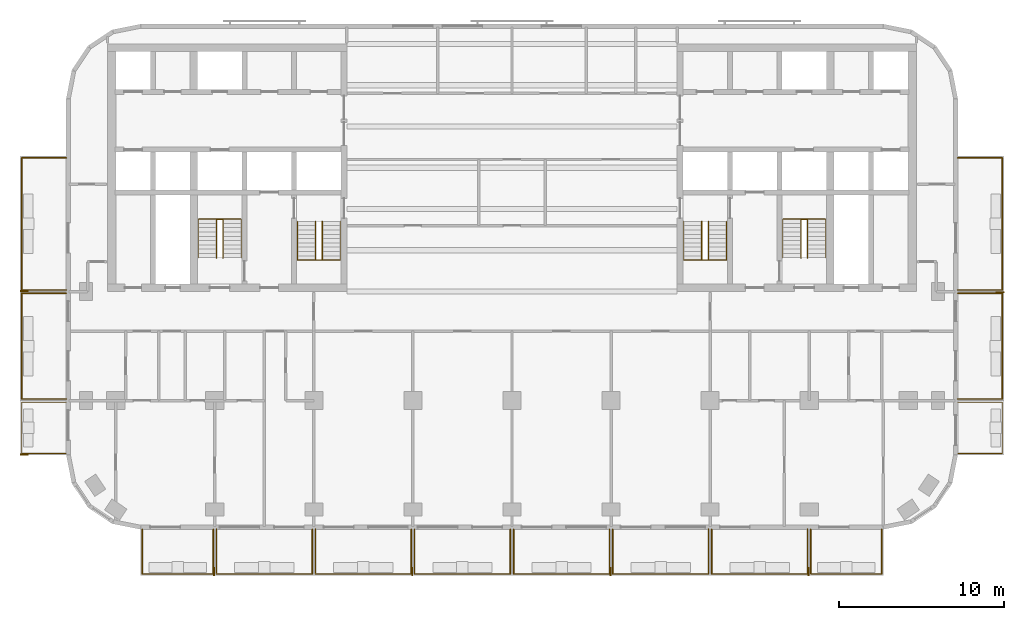
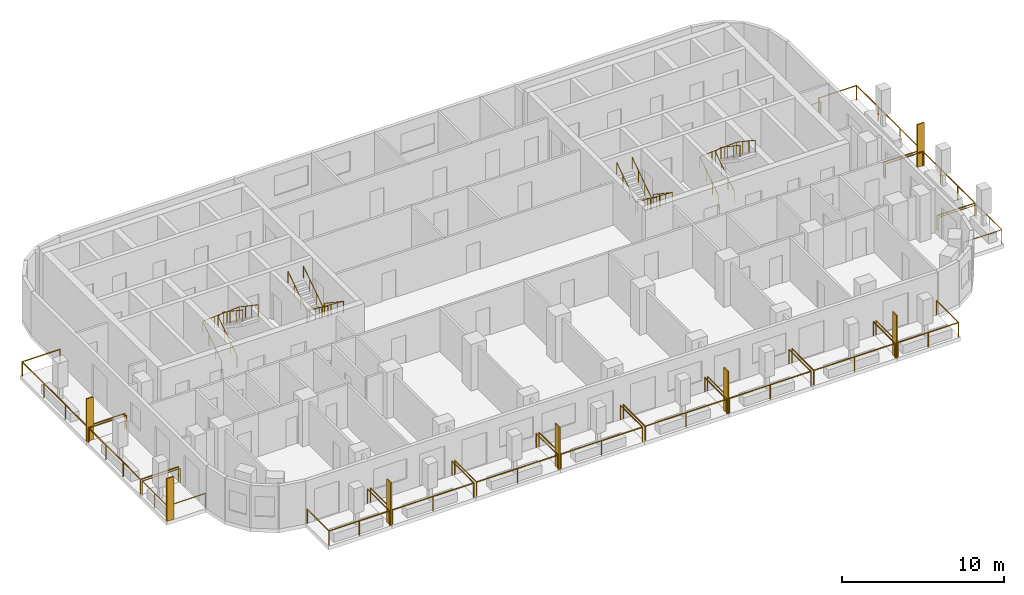
# One storey, part 9 of 11: 22 railings, 7 shading devices.
"""IFC4 building model written with IfcOpenShell, lengths in metres."""

from ifc_helpers import new_model, si_unit, direction, frame, origin, origin_2d, place, context, subcontext, project, spatial, rectangle, circle, extrude, material, layer, layer_set, type_object, element, save


model = new_model("IFC4")

# Units and contexts
model_context = context("Model", 3, precision=1e-05, world=origin(), true_north=direction((0.0, 1.0)))
body_context = subcontext(model_context, "Body", "Model", "MODEL_VIEW")
ifc_project = project(units=[si_unit("LENGTHUNIT", "METRE"), si_unit("AREAUNIT", "SQUARE_METRE"), si_unit("VOLUMEUNIT", "CUBIC_METRE"), si_unit("PLANEANGLEUNIT", "RADIAN"), si_unit("MASSUNIT", "GRAM", prefix="KILO")], contexts=[model_context])

# Site, building, storey
site_placement = place(None, origin())
site = spatial("IfcSite", under=ifc_project, at=site_placement, CompositionType="ELEMENT")
building_placement = place(site_placement, origin())
building = spatial("IfcBuilding", under=site, at=building_placement, Name="Torana Hotel and Residences", CompositionType="ELEMENT")
storey_placement = place(building_placement, frame((0.0, 0.0, 236.10009765625)))
storey = spatial("IfcBuildingStorey", under=building, at=storey_placement, Name="L62", CompositionType="ELEMENT", Elevation=236.10009765625)

# Shading devices
ifc_material_1 = material(Name="Black powder coated aluminium", Category="aluminium")
ifc_layer = layer(ifc_material_1, 0.080078125)
ifc_layer_set = layer_set([ifc_layer], Name="FN1 VERTICAL FIN 500x80")
shading_device_type = type_object("IfcShadingDeviceType", Name="FN1 VERTICAL FIN 500x80", PredefinedType="USERDEFINED", material=ifc_layer_set)
for number, where, z_axis, x_axis, name in (
    (1, (-18.0400390625, -31.949951171875, 0.0), (0.0, 0.0, 1.0), (-1.0, 0.0, 0.0), "Fin 01"),
    (2, (-6.0400390625, -31.949951171875, 0.0), (0.0, 0.0, 1.0), (-1.0, 0.0, 0.0), "Fin 03"),
    (3, (5.9599609375, -31.949951171875, 0.0), (0.0, 0.0, 1.0), (-1.0, 0.0, 0.0), "Fin 05"),
    (4, (17.9599609375, -31.949951171875, 0.0), (0.0, 0.0, 1.0), (-1.0, 0.0, 0.0), "Fin 07"),
    (5, (-29.550048828125, -24.860107421875, 0.0), (0.0, 0.0, 1.0), (0.0, 1.0, 0.0), "Fin 09"),
    (6, (-29.550048828125, -14.9599609375, 0.0), (0.0, 0.0, 1.0), (0.0, 1.0, 0.0), "Fin 11"),
    (7, (29.550048828125, -15.0400390625, 0.0), (0.0, 0.0, 1.0), (0.0, -1.0, 0.0), "Fin 13"),
):
    element("IfcShadingDevice", number, at=place(storey_placement, frame(where, z_axis=z_axis, x_axis=x_axis)), inside=storey, type_object=shading_device_type, Name=name, ObjectType="FIN", PredefinedType="USERDEFINED", context=body_context, shape_type="SweptSolid", body=[
        extrude(rectangle(XDim=0.080078125, YDim=0.5, at=origin_2d()), origin(), (0.0, 0.0, 1.0), 3.219970703125),
    ])

# Railings
ifc_material_2 = material(Name="Laminated glass balustrade with black handrail", Category="glass")
railing_type_1 = type_object("IfcRailingType", Name="GR1 BALCONY GUARD 1100 GLASS", PredefinedType="GUARDRAIL", material=ifc_material_2)
railing_1_placement = place(storey_placement, frame((-18.10009765625, -29.39990234375, 0.0)))
element("IfcRailing", 8, at=railing_1_placement, inside=storey, type_object=railing_type_1, Name="Balcony guard 01", PredefinedType="GUARDRAIL", context=body_context, shape_type="SweptSolid", body=[
    extrude(circle(Radius=0.02392578125, at=origin_2d()), frame((0.0, 0.0, 1.076171875), z_axis=(0.0, -1.0, 0.0), x_axis=(1.0, 0.0, 0.0)), (0.0, 0.0, 1.0), 2.7001953125),
    extrude(circle(Radius=0.02392578125, at=origin_2d()), frame((0.0, -2.7001953125, 1.076171875), z_axis=(-1.0, 0.0, 0.0), x_axis=(0.0, -1.0, 0.0)), (0.0, 0.0, 1.0), 4.2998046875),
    extrude(circle(Radius=0.02392578125, at=origin_2d()), frame((-4.2998046875, -2.7001953125, 1.076171875), z_axis=(0.0, 1.0, 0.0), x_axis=(-1.0, 0.0, 0.0)), (0.0, 0.0, 1.0), 2.7001953125),
    extrude(circle(Radius=0.02099609375, at=origin_2d()), origin(), (0.0, 0.0, 1.0), 1.052001953125),
    extrude(circle(Radius=0.02099609375, at=origin_2d()), frame((0.0, -2.7001953125, 0.0)), (0.0, 0.0, 1.0), 1.052001953125),
    extrude(circle(Radius=0.02099609375, at=origin_2d()), frame((-2.14990234375, -2.7001953125, 0.0)), (0.0, 0.0, 1.0), 1.052001953125),
    extrude(circle(Radius=0.02099609375, at=origin_2d()), frame((-4.2998046875, -2.7001953125, 0.0)), (0.0, 0.0, 1.0), 1.052001953125),
    extrude(circle(Radius=0.02099609375, at=origin_2d()), frame((-4.2998046875, 0.0, 0.0)), (0.0, 0.0, 1.0), 1.052001953125),
])
for number, where, name in (
    (9, (-12.10009765625, -29.39990234375, 0.0), "Balcony guard 02"),
    (10, (-6.10009765625, -29.39990234375, 0.0), "Balcony guard 03"),
    (11, (-0.10009765625, -29.39990234375, 0.0), "Balcony guard 04"),
    (12, (5.89990234375, -29.39990234375, 0.0), "Balcony guard 05"),
    (13, (11.89990234375, -29.39990234375, 0.0), "Balcony guard 06"),
    (14, (17.89990234375, -29.39990234375, 0.0), "Balcony guard 07"),
):
    element("IfcRailing", number, at=place(storey_placement, frame(where)), inside=storey, type_object=railing_type_1, Name=name, PredefinedType="GUARDRAIL", context=body_context, shape_type="SweptSolid", body=[
        extrude(circle(Radius=0.02392578125, at=origin_2d()), frame((0.0, 0.0, 1.076171875), z_axis=(0.0, -1.0, 0.0), x_axis=(1.0, 0.0, 0.0)), (0.0, 0.0, 1.0), 2.7001953125),
        extrude(circle(Radius=0.02392578125, at=origin_2d()), frame((0.0, -2.7001953125, 1.076171875), z_axis=(-1.0, 0.0, 0.0), x_axis=(0.0, -1.0, 0.0)), (0.0, 0.0, 1.0), 5.7998046875),
        extrude(circle(Radius=0.02392578125, at=origin_2d()), frame((-5.7998046875, -2.7001953125, 1.076171875), z_axis=(0.0, 1.0, 0.0), x_axis=(-1.0, 0.0, 0.0)), (0.0, 0.0, 1.0), 2.7001953125),
        extrude(circle(Radius=0.02099609375, at=origin_2d()), origin(), (0.0, 0.0, 1.0), 1.052001953125),
        extrude(circle(Radius=0.02099609375, at=origin_2d()), frame((0.0, -2.7001953125, 0.0)), (0.0, 0.0, 1.0), 1.052001953125),
        extrude(circle(Radius=0.02099609375, at=origin_2d()), frame((-2.89990234375, -2.7001953125, 0.0)), (0.0, 0.0, 1.0), 1.052001953125),
        extrude(circle(Radius=0.02099609375, at=origin_2d()), frame((-5.7998046875, -2.7001953125, 0.0)), (0.0, 0.0, 1.0), 1.052001953125),
        extrude(circle(Radius=0.02099609375, at=origin_2d()), frame((-5.7998046875, 0.0, 0.0)), (0.0, 0.0, 1.0), 1.052001953125),
    ])
railing_2_placement = place(storey_placement, frame((22.39990234375, -29.39990234375, 0.0)))
element("IfcRailing", 15, at=railing_2_placement, inside=storey, type_object=railing_type_1, Name="Balcony guard 08", PredefinedType="GUARDRAIL", context=body_context, shape_type="SweptSolid", body=[
    extrude(circle(Radius=0.02392578125, at=origin_2d()), frame((0.0, 0.0, 1.076171875), z_axis=(0.0, -1.0, 0.0), x_axis=(1.0, 0.0, 0.0)), (0.0, 0.0, 1.0), 2.7001953125),
    extrude(circle(Radius=0.02392578125, at=origin_2d()), frame((0.0, -2.7001953125, 1.076171875), z_axis=(-1.0, 0.0, 0.0), x_axis=(0.0, -1.0, 0.0)), (0.0, 0.0, 1.0), 4.2998046875),
    extrude(circle(Radius=0.02392578125, at=origin_2d()), frame((-4.2998046875, -2.7001953125, 1.076171875), z_axis=(0.0, 1.0, 0.0), x_axis=(-1.0, 0.0, 0.0)), (0.0, 0.0, 1.0), 2.7001953125),
    extrude(circle(Radius=0.02099609375, at=origin_2d()), origin(), (0.0, 0.0, 1.0), 1.052001953125),
    extrude(circle(Radius=0.02099609375, at=origin_2d()), frame((0.0, -2.7001953125, 0.0)), (0.0, 0.0, 1.0), 1.052001953125),
    extrude(circle(Radius=0.02099609375, at=origin_2d()), frame((-2.14990234375, -2.7001953125, 0.0)), (0.0, 0.0, 1.0), 1.052001953125),
    extrude(circle(Radius=0.02099609375, at=origin_2d()), frame((-4.2998046875, -2.7001953125, 0.0)), (0.0, 0.0, 1.0), 1.052001953125),
    extrude(circle(Radius=0.02099609375, at=origin_2d()), frame((-4.2998046875, 0.0, 0.0)), (0.0, 0.0, 1.0), 1.052001953125),
])
railing_3_placement = place(storey_placement, frame((-27.0, -24.800048828125, 0.0)))
element("IfcRailing", 16, at=railing_3_placement, inside=storey, type_object=railing_type_1, Name="Balcony guard 09", PredefinedType="GUARDRAIL", context=body_context, shape_type="SweptSolid", body=[
    extrude(circle(Radius=0.02392578125, at=origin_2d()), frame((0.0, 0.0, 1.076171875), z_axis=(-1.0, 0.0, 0.0), x_axis=(0.0, -1.0, 0.0)), (0.0, 0.0, 1.0), 2.699951171875),
    extrude(circle(Radius=0.02392578125, at=origin_2d()), frame((-2.699951171875, 0.0, 1.076171875), z_axis=(0.0, 1.0, 0.0), x_axis=(-1.0, 0.0, 0.0)), (0.0, 0.0, 1.0), 3.10009765625),
    extrude(circle(Radius=0.02392578125, at=origin_2d()), frame((-2.699951171875, 3.10009765625, 1.076171875), z_axis=(1.0, 0.0, 0.0), x_axis=(0.0, 1.0, 0.0)), (0.0, 0.0, 1.0), 2.699951171875),
    extrude(circle(Radius=0.02099609375, at=origin_2d()), origin(), (0.0, 0.0, 1.0), 1.052001953125),
    extrude(circle(Radius=0.02099609375, at=origin_2d()), frame((-2.699951171875, 0.0, 0.0)), (0.0, 0.0, 1.0), 1.052001953125),
    extrude(circle(Radius=0.02099609375, at=origin_2d()), frame((-2.699951171875, 1.550048828125, 0.0)), (0.0, 0.0, 1.0), 1.052001953125),
    extrude(circle(Radius=0.02099609375, at=origin_2d()), frame((-2.699951171875, 3.10009765625, 0.0)), (0.0, 0.0, 1.0), 1.052001953125),
    extrude(circle(Radius=0.02099609375, at=origin_2d()), frame((0.0, 3.10009765625, 0.0)), (0.0, 0.0, 1.0), 1.052001953125),
])
railing_4_placement = place(storey_placement, frame((-27.0, -21.5, 0.0)))
element("IfcRailing", 17, at=railing_4_placement, inside=storey, type_object=railing_type_1, Name="Balcony guard 10", PredefinedType="GUARDRAIL", context=body_context, shape_type="SweptSolid", body=[
    extrude(circle(Radius=0.02392578125, at=origin_2d()), frame((0.0, 0.0, 1.076171875), z_axis=(-1.0, 0.0, 0.0), x_axis=(0.0, -1.0, 0.0)), (0.0, 0.0, 1.0), 2.699951171875),
    extrude(circle(Radius=0.02392578125, at=origin_2d()), frame((-2.699951171875, 0.0, 1.076171875), z_axis=(0.0, 1.0, 0.0), x_axis=(-1.0, 0.0, 0.0)), (0.0, 0.0, 1.0), 6.39990234375),
    extrude(circle(Radius=0.02392578125, at=origin_2d()), frame((-2.699951171875, 6.39990234375, 1.076171875), z_axis=(1.0, 0.0, 0.0), x_axis=(0.0, 1.0, 0.0)), (0.0, 0.0, 1.0), 2.699951171875),
    extrude(circle(Radius=0.02099609375, at=origin_2d()), origin(), (0.0, 0.0, 1.0), 1.052001953125),
    extrude(circle(Radius=0.02099609375, at=origin_2d()), frame((-2.699951171875, 0.0, 0.0)), (0.0, 0.0, 1.0), 1.052001953125),
    extrude(circle(Radius=0.02099609375, at=origin_2d()), frame((-2.699951171875, 2.13330078125, 0.0)), (0.0, 0.0, 1.0), 1.052001953125),
    extrude(circle(Radius=0.02099609375, at=origin_2d()), frame((-2.699951171875, 4.2666015625, 0.0)), (0.0, 0.0, 1.0), 1.052001953125),
    extrude(circle(Radius=0.02099609375, at=origin_2d()), frame((-2.699951171875, 6.39990234375, 0.0)), (0.0, 0.0, 1.0), 1.052001953125),
    extrude(circle(Radius=0.02099609375, at=origin_2d()), frame((0.0, 6.39990234375, 0.0)), (0.0, 0.0, 1.0), 1.052001953125),
])
railing_5_placement = place(storey_placement, frame((-27.0, -14.89990234375, 0.0)))
element("IfcRailing", 18, at=railing_5_placement, inside=storey, type_object=railing_type_1, Name="Balcony guard 11", PredefinedType="GUARDRAIL", context=body_context, shape_type="SweptSolid", body=[
    extrude(circle(Radius=0.02392578125, at=origin_2d()), frame((0.0, 0.0, 1.076171875), z_axis=(-1.0, 0.0, 0.0), x_axis=(0.0, -1.0, 0.0)), (0.0, 0.0, 1.0), 2.699951171875),
    extrude(circle(Radius=0.02392578125, at=origin_2d()), frame((-2.699951171875, 0.0, 1.076171875), z_axis=(0.0, 1.0, 0.0), x_axis=(-1.0, 0.0, 0.0)), (0.0, 0.0, 1.0), 8.0),
    extrude(circle(Radius=0.02392578125, at=origin_2d()), frame((-2.699951171875, 8.0, 1.076171875), z_axis=(1.0, 0.0, 0.0), x_axis=(0.0, 1.0, 0.0)), (0.0, 0.0, 1.0), 2.699951171875),
    extrude(circle(Radius=0.02099609375, at=origin_2d()), origin(), (0.0, 0.0, 1.0), 1.052001953125),
    extrude(circle(Radius=0.02099609375, at=origin_2d()), frame((-2.699951171875, 0.0, 0.0)), (0.0, 0.0, 1.0), 1.052001953125),
    extrude(circle(Radius=0.02099609375, at=origin_2d()), frame((-2.699951171875, 2.666748046875, 0.0)), (0.0, 0.0, 1.0), 1.052001953125),
    extrude(circle(Radius=0.02099609375, at=origin_2d()), frame((-2.699951171875, 5.333251953125, 0.0)), (0.0, 0.0, 1.0), 1.052001953125),
    extrude(circle(Radius=0.02099609375, at=origin_2d()), frame((-2.699951171875, 8.0, 0.0)), (0.0, 0.0, 1.0), 1.052001953125),
    extrude(circle(Radius=0.02099609375, at=origin_2d()), frame((0.0, 8.0, 0.0)), (0.0, 0.0, 1.0), 1.052001953125),
])
railing_6_placement = place(storey_placement, frame((27.0, -21.699951171875, 0.0)))
element("IfcRailing", 19, at=railing_6_placement, inside=storey, type_object=railing_type_1, Name="Balcony guard 12", PredefinedType="GUARDRAIL", context=body_context, shape_type="SweptSolid", body=[
    extrude(circle(Radius=0.02392578125, at=origin_2d()), frame((0.0, 0.0, 1.076171875), z_axis=(1.0, 0.0, 0.0), x_axis=(0.0, 1.0, 0.0)), (0.0, 0.0, 1.0), 2.699951171875),
    extrude(circle(Radius=0.02392578125, at=origin_2d()), frame((2.699951171875, 0.0, 1.076171875), z_axis=(0.0, -1.0, 0.0), x_axis=(1.0, 0.0, 0.0)), (0.0, 0.0, 1.0), 3.10009765625),
    extrude(circle(Radius=0.02392578125, at=origin_2d()), frame((2.699951171875, -3.10009765625, 1.076171875), z_axis=(-1.0, 0.0, 0.0), x_axis=(0.0, -1.0, 0.0)), (0.0, 0.0, 1.0), 2.699951171875),
    extrude(circle(Radius=0.02099609375, at=origin_2d()), origin(), (0.0, 0.0, 1.0), 1.052001953125),
    extrude(circle(Radius=0.02099609375, at=origin_2d()), frame((2.699951171875, 0.0, 0.0)), (0.0, 0.0, 1.0), 1.052001953125),
    extrude(circle(Radius=0.02099609375, at=origin_2d()), frame((2.699951171875, -1.550048828125, 0.0)), (0.0, 0.0, 1.0), 1.052001953125),
    extrude(circle(Radius=0.02099609375, at=origin_2d()), frame((2.699951171875, -3.10009765625, 0.0)), (0.0, 0.0, 1.0), 1.052001953125),
    extrude(circle(Radius=0.02099609375, at=origin_2d()), frame((0.0, -3.10009765625, 0.0)), (0.0, 0.0, 1.0), 1.052001953125),
])
railing_7_placement = place(storey_placement, frame((27.0, -15.10009765625, 0.0)))
element("IfcRailing", 20, at=railing_7_placement, inside=storey, type_object=railing_type_1, Name="Balcony guard 13", PredefinedType="GUARDRAIL", context=body_context, shape_type="SweptSolid", body=[
    extrude(circle(Radius=0.02392578125, at=origin_2d()), frame((0.0, 0.0, 1.076171875), z_axis=(1.0, 0.0, 0.0), x_axis=(0.0, 1.0, 0.0)), (0.0, 0.0, 1.0), 2.699951171875),
    extrude(circle(Radius=0.02392578125, at=origin_2d()), frame((2.699951171875, 0.0, 1.076171875), z_axis=(0.0, -1.0, 0.0), x_axis=(1.0, 0.0, 0.0)), (0.0, 0.0, 1.0), 6.39990234375),
    extrude(circle(Radius=0.02392578125, at=origin_2d()), frame((2.699951171875, -6.39990234375, 1.076171875), z_axis=(-1.0, 0.0, 0.0), x_axis=(0.0, -1.0, 0.0)), (0.0, 0.0, 1.0), 2.699951171875),
    extrude(circle(Radius=0.02099609375, at=origin_2d()), origin(), (0.0, 0.0, 1.0), 1.052001953125),
    extrude(circle(Radius=0.02099609375, at=origin_2d()), frame((2.699951171875, 0.0, 0.0)), (0.0, 0.0, 1.0), 1.052001953125),
    extrude(circle(Radius=0.02099609375, at=origin_2d()), frame((2.699951171875, -2.13330078125, 0.0)), (0.0, 0.0, 1.0), 1.052001953125),
    extrude(circle(Radius=0.02099609375, at=origin_2d()), frame((2.699951171875, -4.2666015625, 0.0)), (0.0, 0.0, 1.0), 1.052001953125),
    extrude(circle(Radius=0.02099609375, at=origin_2d()), frame((2.699951171875, -6.39990234375, 0.0)), (0.0, 0.0, 1.0), 1.052001953125),
    extrude(circle(Radius=0.02099609375, at=origin_2d()), frame((0.0, -6.39990234375, 0.0)), (0.0, 0.0, 1.0), 1.052001953125),
])
railing_8_placement = place(storey_placement, frame((27.0, -6.89990234375, 0.0)))
element("IfcRailing", 21, at=railing_8_placement, inside=storey, type_object=railing_type_1, Name="Balcony guard 14", PredefinedType="GUARDRAIL", context=body_context, shape_type="SweptSolid", body=[
    extrude(circle(Radius=0.02392578125, at=origin_2d()), frame((0.0, 0.0, 1.076171875), z_axis=(1.0, 0.0, 0.0), x_axis=(0.0, 1.0, 0.0)), (0.0, 0.0, 1.0), 2.699951171875),
    extrude(circle(Radius=0.02392578125, at=origin_2d()), frame((2.699951171875, 0.0, 1.076171875), z_axis=(0.0, -1.0, 0.0), x_axis=(1.0, 0.0, 0.0)), (0.0, 0.0, 1.0), 8.0),
    extrude(circle(Radius=0.02392578125, at=origin_2d()), frame((2.699951171875, -8.0, 1.076171875), z_axis=(-1.0, 0.0, 0.0), x_axis=(0.0, -1.0, 0.0)), (0.0, 0.0, 1.0), 2.699951171875),
    extrude(circle(Radius=0.02099609375, at=origin_2d()), origin(), (0.0, 0.0, 1.0), 1.052001953125),
    extrude(circle(Radius=0.02099609375, at=origin_2d()), frame((2.699951171875, 0.0, 0.0)), (0.0, 0.0, 1.0), 1.052001953125),
    extrude(circle(Radius=0.02099609375, at=origin_2d()), frame((2.699951171875, -2.666748046875, 0.0)), (0.0, 0.0, 1.0), 1.052001953125),
    extrude(circle(Radius=0.02099609375, at=origin_2d()), frame((2.699951171875, -5.333251953125, 0.0)), (0.0, 0.0, 1.0), 1.052001953125),
    extrude(circle(Radius=0.02099609375, at=origin_2d()), frame((2.699951171875, -8.0, 0.0)), (0.0, 0.0, 1.0), 1.052001953125),
    extrude(circle(Radius=0.02099609375, at=origin_2d()), frame((0.0, -8.0, 0.0)), (0.0, 0.0, 1.0), 1.052001953125),
])
ifc_material_3 = material(Name="Stainless steel 316", Category="steel")
railing_type_2 = type_object("IfcRailingType", Name="STAIR HANDRAIL HR1 900", PredefinedType="HANDRAIL", material=ifc_material_3)
railing_9_placement = place(storey_placement, frame((-10.39990234375, -10.75, 0.1748046875)))
element("IfcRailing", 22, at=railing_9_placement, inside=storey, type_object=railing_type_2, Name="Handrail ST1 L62 O1", PredefinedType="HANDRAIL", context=body_context, shape_type="SweptSolid", body=[
    extrude(circle(Radius=0.02392578125, at=origin_2d()), frame((0.0, 0.0, 0.8759765625), z_axis=(0.0, -0.829565388462, 0.558409586474), x_axis=(1.0, 0.0, 0.0)), (0.0, 0.0, 1.0), 2.82080078125),
    extrude(circle(Radius=0.02392578125, at=origin_2d()), frame((0.0, -2.340087890625, 2.451171875), z_axis=(-0.997747692642, 0.0, 0.067078624219), x_axis=(0.0, -1.0, 0.0)), (0.0, 0.0, 1.0), 2.60595703125),
    extrude(circle(Radius=0.02392578125, at=origin_2d()), frame((-2.60009765625, -2.340087890625, 2.6259765625), z_axis=(0.0, 0.829565388462, 0.558409586474), x_axis=(-1.0, 0.0, 0.0)), (0.0, 0.0, 1.0), 2.82080078125),
    extrude(circle(Radius=0.02099609375, at=origin_2d()), origin(), (0.0, 0.0, 1.0), 0.851806640625),
    extrude(circle(Radius=0.02099609375, at=origin_2d()), frame((0.0, -0.780029296875, 0.525146484375)), (0.0, 0.0, 1.0), 0.851806640625),
    extrude(circle(Radius=0.02099609375, at=origin_2d()), frame((0.0, -1.56005859375, 1.050048828125)), (0.0, 0.0, 1.0), 0.851806640625),
    extrude(circle(Radius=0.02099609375, at=origin_2d()), frame((0.0, -2.340087890625, 1.5751953125)), (0.0, 0.0, 1.0), 0.851806640625),
    extrude(circle(Radius=0.02099609375, at=origin_2d()), frame((-0.86669921875, -2.340087890625, 1.633544921875)), (0.0, 0.0, 1.0), 0.851806640625),
    extrude(circle(Radius=0.02099609375, at=origin_2d()), frame((-1.7333984375, -2.340087890625, 1.691650390625)), (0.0, 0.0, 1.0), 0.851806640625),
    extrude(circle(Radius=0.02099609375, at=origin_2d()), frame((-2.60009765625, -2.340087890625, 1.75)), (0.0, 0.0, 1.0), 0.851806640625),
    extrude(circle(Radius=0.02099609375, at=origin_2d()), frame((-2.60009765625, -1.56005859375, 2.275146484375)), (0.0, 0.0, 1.0), 0.851806640625),
    extrude(circle(Radius=0.02099609375, at=origin_2d()), frame((-2.60009765625, -0.780029296875, 2.800048828125)), (0.0, 0.0, 1.0), 0.851806640625),
    extrude(circle(Radius=0.02099609375, at=origin_2d()), frame((-2.60009765625, 0.0, 3.3251953125)), (0.0, 0.0, 1.0), 0.851806640625),
])
railing_10_placement = place(storey_placement, frame((-11.5, -10.75, 0.1748046875)))
element("IfcRailing", 23, at=railing_10_placement, inside=storey, type_object=railing_type_2, Name="Handrail ST1 L62 I1", PredefinedType="HANDRAIL", context=body_context, shape_type="SweptSolid", body=[
    extrude(circle(Radius=0.02392578125, at=origin_2d()), frame((0.0, 0.0, 0.8759765625), z_axis=(0.0, -0.829565388462, 0.558409586474), x_axis=(1.0, 0.0, 0.0)), (0.0, 0.0, 1.0), 2.82080078125),
    extrude(circle(Radius=0.02392578125, at=origin_2d()), frame((0.0, -2.340087890625, 2.451171875), z_axis=(-0.916285673175, 0.0, 0.400525361412), x_axis=(0.0, -1.0, 0.0)), (0.0, 0.0, 1.0), 0.4365234375),
    extrude(circle(Radius=0.02392578125, at=origin_2d()), frame((-0.39990234375, -2.340087890625, 2.6259765625), z_axis=(0.0, 0.829565388462, 0.558409586474), x_axis=(-1.0, 0.0, 0.0)), (0.0, 0.0, 1.0), 2.82080078125),
    extrude(circle(Radius=0.02099609375, at=origin_2d()), origin(), (0.0, 0.0, 1.0), 0.851806640625),
    extrude(circle(Radius=0.02099609375, at=origin_2d()), frame((0.0, -0.780029296875, 0.525146484375)), (0.0, 0.0, 1.0), 0.851806640625),
    extrude(circle(Radius=0.02099609375, at=origin_2d()), frame((0.0, -1.56005859375, 1.050048828125)), (0.0, 0.0, 1.0), 0.851806640625),
    extrude(circle(Radius=0.02099609375, at=origin_2d()), frame((0.0, -2.340087890625, 1.5751953125)), (0.0, 0.0, 1.0), 0.851806640625),
    extrude(circle(Radius=0.02099609375, at=origin_2d()), frame((-0.39990234375, -2.340087890625, 1.75)), (0.0, 0.0, 1.0), 0.851806640625),
    extrude(circle(Radius=0.02099609375, at=origin_2d()), frame((-0.39990234375, -1.56005859375, 2.275146484375)), (0.0, 0.0, 1.0), 0.851806640625),
    extrude(circle(Radius=0.02099609375, at=origin_2d()), frame((-0.39990234375, -0.780029296875, 2.800048828125)), (0.0, 0.0, 1.0), 0.851806640625),
    extrude(circle(Radius=0.02099609375, at=origin_2d()), frame((-0.39990234375, 0.0, 3.3251953125)), (0.0, 0.0, 1.0), 0.851806640625),
])
railing_11_placement = place(storey_placement, frame((-19.0, -12.949951171875, 0.1748046875)))
element("IfcRailing", 24, at=railing_11_placement, inside=storey, type_object=railing_type_2, Name="Handrail ST2 L62 O1", PredefinedType="HANDRAIL", context=body_context, shape_type="SweptSolid", body=[
    extrude(circle(Radius=0.02392578125, at=origin_2d()), frame((0.0, 0.0, 0.8759765625), z_axis=(0.0, 0.829538397957, 0.558449681095), x_axis=(-1.0, 0.0, 0.0)), (0.0, 0.0, 1.0), 2.820556640625),
    extrude(circle(Radius=0.02392578125, at=origin_2d()), frame((0.0, 2.33984375, 2.451171875), z_axis=(0.997747692642, 0.0, 0.067078624219), x_axis=(0.0, 1.0, 0.0)), (0.0, 0.0, 1.0), 2.60595703125),
    extrude(circle(Radius=0.02392578125, at=origin_2d()), frame((2.60009765625, 2.33984375, 2.6259765625), z_axis=(0.0, -0.829538397957, 0.558449681095), x_axis=(1.0, 0.0, 0.0)), (0.0, 0.0, 1.0), 2.820556640625),
    extrude(circle(Radius=0.02099609375, at=origin_2d()), origin(), (0.0, 0.0, 1.0), 0.851806640625),
    extrude(circle(Radius=0.02099609375, at=origin_2d()), frame((0.0, 0.780029296875, 0.525146484375)), (0.0, 0.0, 1.0), 0.851806640625),
    extrude(circle(Radius=0.02099609375, at=origin_2d()), frame((0.0, 1.559814453125, 1.050048828125)), (0.0, 0.0, 1.0), 0.851806640625),
    extrude(circle(Radius=0.02099609375, at=origin_2d()), frame((0.0, 2.33984375, 1.5751953125)), (0.0, 0.0, 1.0), 0.851806640625),
    extrude(circle(Radius=0.02099609375, at=origin_2d()), frame((0.86669921875, 2.33984375, 1.633544921875)), (0.0, 0.0, 1.0), 0.851806640625),
    extrude(circle(Radius=0.02099609375, at=origin_2d()), frame((1.7333984375, 2.33984375, 1.691650390625)), (0.0, 0.0, 1.0), 0.851806640625),
    extrude(circle(Radius=0.02099609375, at=origin_2d()), frame((2.60009765625, 2.33984375, 1.75)), (0.0, 0.0, 1.0), 0.851806640625),
    extrude(circle(Radius=0.02099609375, at=origin_2d()), frame((2.60009765625, 1.559814453125, 2.275146484375)), (0.0, 0.0, 1.0), 0.851806640625),
    extrude(circle(Radius=0.02099609375, at=origin_2d()), frame((2.60009765625, 0.780029296875, 2.800048828125)), (0.0, 0.0, 1.0), 0.851806640625),
    extrude(circle(Radius=0.02099609375, at=origin_2d()), frame((2.60009765625, 0.0, 3.3251953125)), (0.0, 0.0, 1.0), 0.851806640625),
])
railing_12_placement = place(storey_placement, frame((-17.89990234375, -12.949951171875, 0.1748046875)))
element("IfcRailing", 25, at=railing_12_placement, inside=storey, type_object=railing_type_2, Name="Handrail ST2 L62 I1", PredefinedType="HANDRAIL", context=body_context, shape_type="SweptSolid", body=[
    extrude(circle(Radius=0.02392578125, at=origin_2d()), frame((0.0, 0.0, 0.8759765625), z_axis=(0.0, 0.829538397957, 0.558449681095), x_axis=(-1.0, 0.0, 0.0)), (0.0, 0.0, 1.0), 2.820556640625),
    extrude(circle(Radius=0.02392578125, at=origin_2d()), frame((0.0, 2.33984375, 2.451171875), z_axis=(0.916285673175, 0.0, 0.400525361412), x_axis=(0.0, 1.0, 0.0)), (0.0, 0.0, 1.0), 0.4365234375),
    extrude(circle(Radius=0.02392578125, at=origin_2d()), frame((0.39990234375, 2.33984375, 2.6259765625), z_axis=(0.0, -0.829538397957, 0.558449681095), x_axis=(1.0, 0.0, 0.0)), (0.0, 0.0, 1.0), 2.820556640625),
    extrude(circle(Radius=0.02099609375, at=origin_2d()), origin(), (0.0, 0.0, 1.0), 0.851806640625),
    extrude(circle(Radius=0.02099609375, at=origin_2d()), frame((0.0, 0.780029296875, 0.525146484375)), (0.0, 0.0, 1.0), 0.851806640625),
    extrude(circle(Radius=0.02099609375, at=origin_2d()), frame((0.0, 1.559814453125, 1.050048828125)), (0.0, 0.0, 1.0), 0.851806640625),
    extrude(circle(Radius=0.02099609375, at=origin_2d()), frame((0.0, 2.33984375, 1.5751953125)), (0.0, 0.0, 1.0), 0.851806640625),
    extrude(circle(Radius=0.02099609375, at=origin_2d()), frame((0.39990234375, 2.33984375, 1.75)), (0.0, 0.0, 1.0), 0.851806640625),
    extrude(circle(Radius=0.02099609375, at=origin_2d()), frame((0.39990234375, 1.559814453125, 2.275146484375)), (0.0, 0.0, 1.0), 0.851806640625),
    extrude(circle(Radius=0.02099609375, at=origin_2d()), frame((0.39990234375, 0.780029296875, 2.800048828125)), (0.0, 0.0, 1.0), 0.851806640625),
    extrude(circle(Radius=0.02099609375, at=origin_2d()), frame((0.39990234375, 0.0, 3.3251953125)), (0.0, 0.0, 1.0), 0.851806640625),
])
railing_13_placement = place(storey_placement, frame((13.0, -10.75, 0.1748046875)))
element("IfcRailing", 26, at=railing_13_placement, inside=storey, type_object=railing_type_2, Name="Handrail ST3 L62 O1", PredefinedType="HANDRAIL", context=body_context, shape_type="SweptSolid", body=[
    extrude(circle(Radius=0.02392578125, at=origin_2d()), frame((0.0, 0.0, 0.8759765625), z_axis=(0.0, -0.829565388462, 0.558409586474), x_axis=(1.0, 0.0, 0.0)), (0.0, 0.0, 1.0), 2.82080078125),
    extrude(circle(Radius=0.02392578125, at=origin_2d()), frame((0.0, -2.340087890625, 2.451171875), z_axis=(-0.997747692642, 0.0, 0.067078624219), x_axis=(0.0, -1.0, 0.0)), (0.0, 0.0, 1.0), 2.60595703125),
    extrude(circle(Radius=0.02392578125, at=origin_2d()), frame((-2.60009765625, -2.340087890625, 2.6259765625), z_axis=(0.0, 0.829565388462, 0.558409586474), x_axis=(-1.0, 0.0, 0.0)), (0.0, 0.0, 1.0), 2.82080078125),
    extrude(circle(Radius=0.02099609375, at=origin_2d()), origin(), (0.0, 0.0, 1.0), 0.851806640625),
    extrude(circle(Radius=0.02099609375, at=origin_2d()), frame((0.0, -0.780029296875, 0.525146484375)), (0.0, 0.0, 1.0), 0.851806640625),
    extrude(circle(Radius=0.02099609375, at=origin_2d()), frame((0.0, -1.56005859375, 1.050048828125)), (0.0, 0.0, 1.0), 0.851806640625),
    extrude(circle(Radius=0.02099609375, at=origin_2d()), frame((0.0, -2.340087890625, 1.5751953125)), (0.0, 0.0, 1.0), 0.851806640625),
    extrude(circle(Radius=0.02099609375, at=origin_2d()), frame((-0.86669921875, -2.340087890625, 1.633544921875)), (0.0, 0.0, 1.0), 0.851806640625),
    extrude(circle(Radius=0.02099609375, at=origin_2d()), frame((-1.7333984375, -2.340087890625, 1.691650390625)), (0.0, 0.0, 1.0), 0.851806640625),
    extrude(circle(Radius=0.02099609375, at=origin_2d()), frame((-2.60009765625, -2.340087890625, 1.75)), (0.0, 0.0, 1.0), 0.851806640625),
    extrude(circle(Radius=0.02099609375, at=origin_2d()), frame((-2.60009765625, -1.56005859375, 2.275146484375)), (0.0, 0.0, 1.0), 0.851806640625),
    extrude(circle(Radius=0.02099609375, at=origin_2d()), frame((-2.60009765625, -0.780029296875, 2.800048828125)), (0.0, 0.0, 1.0), 0.851806640625),
    extrude(circle(Radius=0.02099609375, at=origin_2d()), frame((-2.60009765625, 0.0, 3.3251953125)), (0.0, 0.0, 1.0), 0.851806640625),
])
railing_14_placement = place(storey_placement, frame((11.89990234375, -10.75, 0.1748046875)))
element("IfcRailing", 27, at=railing_14_placement, inside=storey, type_object=railing_type_2, Name="Handrail ST3 L62 I1", PredefinedType="HANDRAIL", context=body_context, shape_type="SweptSolid", body=[
    extrude(circle(Radius=0.02392578125, at=origin_2d()), frame((0.0, 0.0, 0.8759765625), z_axis=(0.0, -0.829565388462, 0.558409586474), x_axis=(1.0, 0.0, 0.0)), (0.0, 0.0, 1.0), 2.82080078125),
    extrude(circle(Radius=0.02392578125, at=origin_2d()), frame((0.0, -2.340087890625, 2.451171875), z_axis=(-0.916285673175, 0.0, 0.400525361412), x_axis=(0.0, -1.0, 0.0)), (0.0, 0.0, 1.0), 0.4365234375),
    extrude(circle(Radius=0.02392578125, at=origin_2d()), frame((-0.39990234375, -2.340087890625, 2.6259765625), z_axis=(0.0, 0.829565388462, 0.558409586474), x_axis=(-1.0, 0.0, 0.0)), (0.0, 0.0, 1.0), 2.82080078125),
    extrude(circle(Radius=0.02099609375, at=origin_2d()), origin(), (0.0, 0.0, 1.0), 0.851806640625),
    extrude(circle(Radius=0.02099609375, at=origin_2d()), frame((0.0, -0.780029296875, 0.525146484375)), (0.0, 0.0, 1.0), 0.851806640625),
    extrude(circle(Radius=0.02099609375, at=origin_2d()), frame((0.0, -1.56005859375, 1.050048828125)), (0.0, 0.0, 1.0), 0.851806640625),
    extrude(circle(Radius=0.02099609375, at=origin_2d()), frame((0.0, -2.340087890625, 1.5751953125)), (0.0, 0.0, 1.0), 0.851806640625),
    extrude(circle(Radius=0.02099609375, at=origin_2d()), frame((-0.39990234375, -2.340087890625, 1.75)), (0.0, 0.0, 1.0), 0.851806640625),
    extrude(circle(Radius=0.02099609375, at=origin_2d()), frame((-0.39990234375, -1.56005859375, 2.275146484375)), (0.0, 0.0, 1.0), 0.851806640625),
    extrude(circle(Radius=0.02099609375, at=origin_2d()), frame((-0.39990234375, -0.780029296875, 2.800048828125)), (0.0, 0.0, 1.0), 0.851806640625),
    extrude(circle(Radius=0.02099609375, at=origin_2d()), frame((-0.39990234375, 0.0, 3.3251953125)), (0.0, 0.0, 1.0), 0.851806640625),
])
railing_15_placement = place(storey_placement, frame((16.39990234375, -12.949951171875, 0.1748046875)))
element("IfcRailing", 28, at=railing_15_placement, inside=storey, type_object=railing_type_2, Name="Handrail ST4 L62 O1", PredefinedType="HANDRAIL", context=body_context, shape_type="SweptSolid", body=[
    extrude(circle(Radius=0.02392578125, at=origin_2d()), frame((0.0, 0.0, 0.8759765625), z_axis=(0.0, 0.829538397957, 0.558449681095), x_axis=(-1.0, 0.0, 0.0)), (0.0, 0.0, 1.0), 2.820556640625),
    extrude(circle(Radius=0.02392578125, at=origin_2d()), frame((0.0, 2.33984375, 2.451171875), z_axis=(0.997747692642, 0.0, 0.067078624219), x_axis=(0.0, 1.0, 0.0)), (0.0, 0.0, 1.0), 2.60595703125),
    extrude(circle(Radius=0.02392578125, at=origin_2d()), frame((2.60009765625, 2.33984375, 2.6259765625), z_axis=(0.0, -0.829538397957, 0.558449681095), x_axis=(1.0, 0.0, 0.0)), (0.0, 0.0, 1.0), 2.820556640625),
    extrude(circle(Radius=0.02099609375, at=origin_2d()), origin(), (0.0, 0.0, 1.0), 0.851806640625),
    extrude(circle(Radius=0.02099609375, at=origin_2d()), frame((0.0, 0.780029296875, 0.525146484375)), (0.0, 0.0, 1.0), 0.851806640625),
    extrude(circle(Radius=0.02099609375, at=origin_2d()), frame((0.0, 1.559814453125, 1.050048828125)), (0.0, 0.0, 1.0), 0.851806640625),
    extrude(circle(Radius=0.02099609375, at=origin_2d()), frame((0.0, 2.33984375, 1.5751953125)), (0.0, 0.0, 1.0), 0.851806640625),
    extrude(circle(Radius=0.02099609375, at=origin_2d()), frame((0.86669921875, 2.33984375, 1.633544921875)), (0.0, 0.0, 1.0), 0.851806640625),
    extrude(circle(Radius=0.02099609375, at=origin_2d()), frame((1.7333984375, 2.33984375, 1.691650390625)), (0.0, 0.0, 1.0), 0.851806640625),
    extrude(circle(Radius=0.02099609375, at=origin_2d()), frame((2.60009765625, 2.33984375, 1.75)), (0.0, 0.0, 1.0), 0.851806640625),
    extrude(circle(Radius=0.02099609375, at=origin_2d()), frame((2.60009765625, 1.559814453125, 2.275146484375)), (0.0, 0.0, 1.0), 0.851806640625),
    extrude(circle(Radius=0.02099609375, at=origin_2d()), frame((2.60009765625, 0.780029296875, 2.800048828125)), (0.0, 0.0, 1.0), 0.851806640625),
    extrude(circle(Radius=0.02099609375, at=origin_2d()), frame((2.60009765625, 0.0, 3.3251953125)), (0.0, 0.0, 1.0), 0.851806640625),
])
railing_16_placement = place(storey_placement, frame((17.5, -12.949951171875, 0.1748046875)))
element("IfcRailing", 29, at=railing_16_placement, inside=storey, type_object=railing_type_2, Name="Handrail ST4 L62 I1", PredefinedType="HANDRAIL", context=body_context, shape_type="SweptSolid", body=[
    extrude(circle(Radius=0.02392578125, at=origin_2d()), frame((0.0, 0.0, 0.8759765625), z_axis=(0.0, 0.829538397957, 0.558449681095), x_axis=(-1.0, 0.0, 0.0)), (0.0, 0.0, 1.0), 2.820556640625),
    extrude(circle(Radius=0.02392578125, at=origin_2d()), frame((0.0, 2.33984375, 2.451171875), z_axis=(0.916285673175, 0.0, 0.400525361412), x_axis=(0.0, 1.0, 0.0)), (0.0, 0.0, 1.0), 0.4365234375),
    extrude(circle(Radius=0.02392578125, at=origin_2d()), frame((0.39990234375, 2.33984375, 2.6259765625), z_axis=(0.0, -0.829538397957, 0.558449681095), x_axis=(1.0, 0.0, 0.0)), (0.0, 0.0, 1.0), 2.820556640625),
    extrude(circle(Radius=0.02099609375, at=origin_2d()), origin(), (0.0, 0.0, 1.0), 0.851806640625),
    extrude(circle(Radius=0.02099609375, at=origin_2d()), frame((0.0, 0.780029296875, 0.525146484375)), (0.0, 0.0, 1.0), 0.851806640625),
    extrude(circle(Radius=0.02099609375, at=origin_2d()), frame((0.0, 1.559814453125, 1.050048828125)), (0.0, 0.0, 1.0), 0.851806640625),
    extrude(circle(Radius=0.02099609375, at=origin_2d()), frame((0.0, 2.33984375, 1.5751953125)), (0.0, 0.0, 1.0), 0.851806640625),
    extrude(circle(Radius=0.02099609375, at=origin_2d()), frame((0.39990234375, 2.33984375, 1.75)), (0.0, 0.0, 1.0), 0.851806640625),
    extrude(circle(Radius=0.02099609375, at=origin_2d()), frame((0.39990234375, 1.559814453125, 2.275146484375)), (0.0, 0.0, 1.0), 0.851806640625),
    extrude(circle(Radius=0.02099609375, at=origin_2d()), frame((0.39990234375, 0.780029296875, 2.800048828125)), (0.0, 0.0, 1.0), 0.851806640625),
    extrude(circle(Radius=0.02099609375, at=origin_2d()), frame((0.39990234375, 0.0, 3.3251953125)), (0.0, 0.0, 1.0), 0.851806640625),
])

save(model, "model.ifc")
